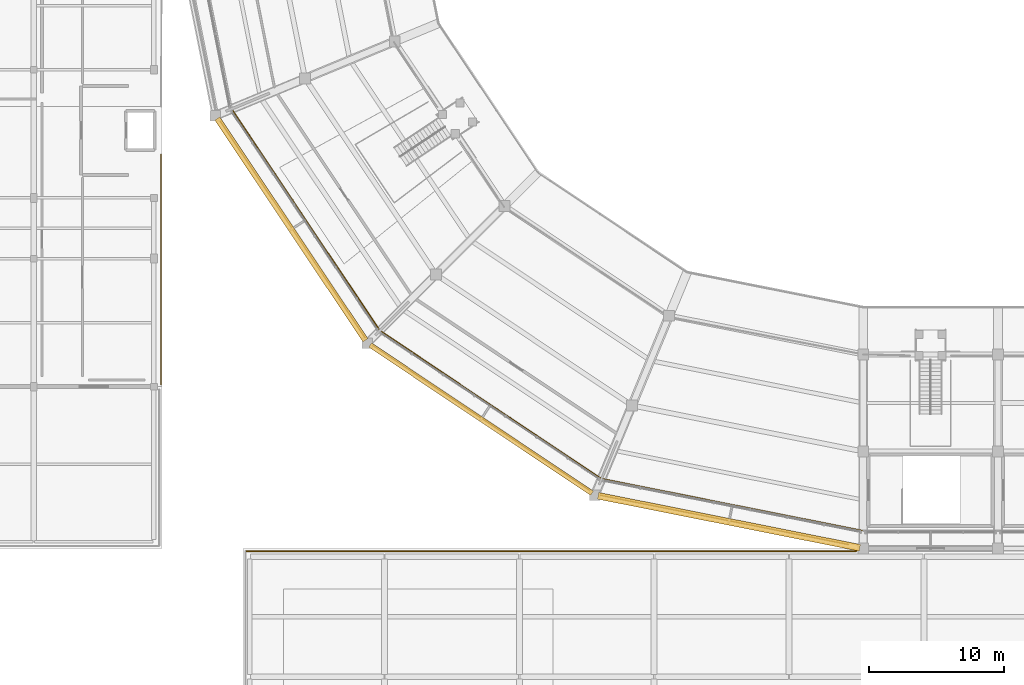
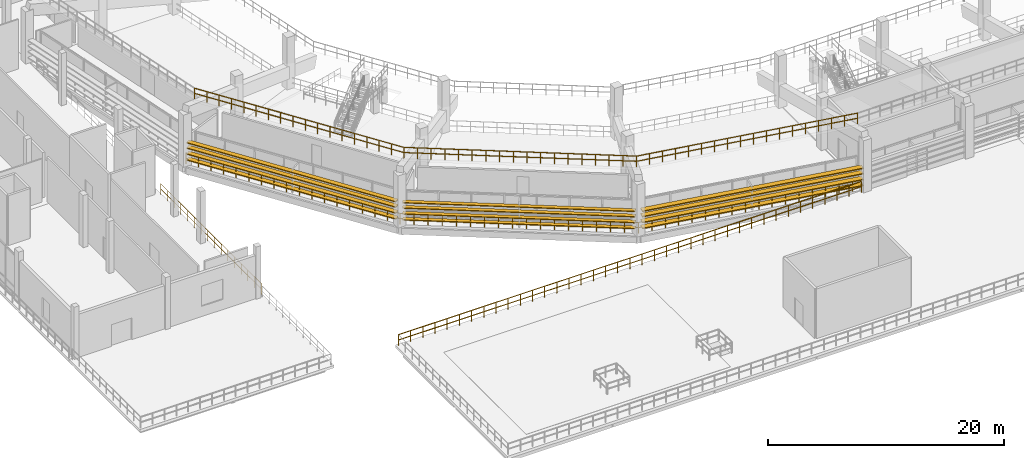
# One storey, part 76 of 96: 12 shading devices, 8 railings.
"""IFC4 building model written with IfcOpenShell, lengths in metres."""

from ifc_helpers import new_model, si_unit, direction, frame, origin, origin_2d, place, context, subcontext, project, spatial, rectangle, circle, extrude, material, layer, layer_set, type_object, element, save


model = new_model("IFC4")

# Units and contexts
model_context = context("Model", 3, precision=1e-05, world=origin(), true_north=direction((0.0, 1.0)))
body_context = subcontext(model_context, "Body", "Model", "MODEL_VIEW")
ifc_project = project(units=[si_unit("LENGTHUNIT", "METRE"), si_unit("AREAUNIT", "SQUARE_METRE"), si_unit("VOLUMEUNIT", "CUBIC_METRE"), si_unit("PLANEANGLEUNIT", "RADIAN"), si_unit("MASSUNIT", "GRAM", prefix="KILO")], contexts=[model_context])

# Site, building, storey
site_placement = place(None, origin())
site = spatial("IfcSite", under=ifc_project, at=site_placement, CompositionType="ELEMENT")
building_placement = place(site_placement, origin())
building = spatial("IfcBuilding", under=site, at=building_placement, Name="Candeia Ridge Stadium", CompositionType="ELEMENT")
storey_placement = place(building_placement, frame((0.0, 0.0, 21.60009765625)))
storey = spatial("IfcBuildingStorey", under=building, at=storey_placement, Name="L04", CompositionType="ELEMENT", Elevation=21.60009765625)

# Railings
ifc_material_1 = material(Name="Laminated Glass & Stainless Steel", Category="steel")
ifc_layer_1 = layer(ifc_material_1, 0.080078125, Name="Laminated Glass & Stainless Steel", Category="steel")
ifc_layer_set_1 = layer_set([ifc_layer_1], Name="Laminated Glass & Stainless Steel")
railing_type_1 = type_object("IfcRailingType", Name="Planted Terrace Glass-Steel Guard 1150", PredefinedType="BALUSTRADE", material=ifc_layer_set_1)
railing_1_placement = place(storey_placement, frame((70.5, 18.800048828125, 0.0)))
element("IfcRailing", 1, at=railing_1_placement, inside=storey, type_object=railing_type_1, Name="Terrace perimeter balustrade GR-TER-199", PredefinedType="BALUSTRADE", context=body_context, shape_type="SweptSolid", body=[
    extrude(circle(Radius=0.02392578125, at=origin_2d()), frame((0.0, 0.0, 1.1259765625), z_axis=(-1.0, 0.0, 0.0), x_axis=(0.0, -1.0, 0.0)), (0.0, 0.0, 1.0), 45.300048828125),
    extrude(circle(Radius=0.02392578125, at=origin_2d()), frame((0.0, 0.0, 0.574951171875), z_axis=(-1.0, 0.0, 0.0), x_axis=(0.0, -1.0, 0.0)), (0.0, 0.0, 1.0), 45.300048828125),
    extrude(circle(Radius=0.02099609375, at=origin_2d()), origin(), (0.0, 0.0, 1.0), 1.101806640625),
    extrude(circle(Radius=0.02099609375, at=origin_2d()), frame((-1.192138671875, 0.0, 0.0)), (0.0, 0.0, 1.0), 1.101806640625),
    extrude(circle(Radius=0.02099609375, at=origin_2d()), frame((-2.38427734375, 0.0, 0.0)), (0.0, 0.0, 1.0), 1.101806640625),
    extrude(circle(Radius=0.02099609375, at=origin_2d()), frame((-3.576416015625, 0.0, 0.0)), (0.0, 0.0, 1.0), 1.101806640625),
    extrude(circle(Radius=0.02099609375, at=origin_2d()), frame((-4.768310546875, 0.0, 0.0)), (0.0, 0.0, 1.0), 1.101806640625),
    extrude(circle(Radius=0.02099609375, at=origin_2d()), frame((-5.96044921875, 0.0, 0.0)), (0.0, 0.0, 1.0), 1.101806640625),
    extrude(circle(Radius=0.02099609375, at=origin_2d()), frame((-7.152587890625, 0.0, 0.0)), (0.0, 0.0, 1.0), 1.101806640625),
    extrude(circle(Radius=0.02099609375, at=origin_2d()), frame((-8.3447265625, 0.0, 0.0)), (0.0, 0.0, 1.0), 1.101806640625),
    extrude(circle(Radius=0.02099609375, at=origin_2d()), frame((-9.536865234375, 0.0, 0.0)), (0.0, 0.0, 1.0), 1.101806640625),
    extrude(circle(Radius=0.02099609375, at=origin_2d()), frame((-10.72900390625, 0.0, 0.0)), (0.0, 0.0, 1.0), 1.101806640625),
    extrude(circle(Radius=0.02099609375, at=origin_2d()), frame((-11.921142578125, 0.0, 0.0)), (0.0, 0.0, 1.0), 1.101806640625),
    extrude(circle(Radius=0.02099609375, at=origin_2d()), frame((-13.11328125, 0.0, 0.0)), (0.0, 0.0, 1.0), 1.101806640625),
    extrude(circle(Radius=0.02099609375, at=origin_2d()), frame((-14.30517578125, 0.0, 0.0)), (0.0, 0.0, 1.0), 1.101806640625),
    extrude(circle(Radius=0.02099609375, at=origin_2d()), frame((-15.497314453125, 0.0, 0.0)), (0.0, 0.0, 1.0), 1.101806640625),
    extrude(circle(Radius=0.02099609375, at=origin_2d()), frame((-16.689453125, 0.0, 0.0)), (0.0, 0.0, 1.0), 1.101806640625),
    extrude(circle(Radius=0.02099609375, at=origin_2d()), frame((-17.881591796875, 0.0, 0.0)), (0.0, 0.0, 1.0), 1.101806640625),
    extrude(circle(Radius=0.02099609375, at=origin_2d()), frame((-19.07373046875, 0.0, 0.0)), (0.0, 0.0, 1.0), 1.101806640625),
    extrude(circle(Radius=0.02099609375, at=origin_2d()), frame((-20.265869140625, 0.0, 0.0)), (0.0, 0.0, 1.0), 1.101806640625),
    extrude(circle(Radius=0.02099609375, at=origin_2d()), frame((-21.4580078125, 0.0, 0.0)), (0.0, 0.0, 1.0), 1.101806640625),
    extrude(circle(Radius=0.02099609375, at=origin_2d()), frame((-22.64990234375, 0.0, 0.0)), (0.0, 0.0, 1.0), 1.101806640625),
    extrude(circle(Radius=0.02099609375, at=origin_2d()), frame((-23.842041015625, 0.0, 0.0)), (0.0, 0.0, 1.0), 1.101806640625),
    extrude(circle(Radius=0.02099609375, at=origin_2d()), frame((-25.0341796875, 0.0, 0.0)), (0.0, 0.0, 1.0), 1.101806640625),
    extrude(circle(Radius=0.02099609375, at=origin_2d()), frame((-26.226318359375, 0.0, 0.0)), (0.0, 0.0, 1.0), 1.101806640625),
    extrude(circle(Radius=0.02099609375, at=origin_2d()), frame((-27.41845703125, 0.0, 0.0)), (0.0, 0.0, 1.0), 1.101806640625),
    extrude(circle(Radius=0.02099609375, at=origin_2d()), frame((-28.610595703125, 0.0, 0.0)), (0.0, 0.0, 1.0), 1.101806640625),
    extrude(circle(Radius=0.02099609375, at=origin_2d()), frame((-29.802734375, 0.0, 0.0)), (0.0, 0.0, 1.0), 1.101806640625),
    extrude(circle(Radius=0.02099609375, at=origin_2d()), frame((-30.994873046875, 0.0, 0.0)), (0.0, 0.0, 1.0), 1.101806640625),
    extrude(circle(Radius=0.02099609375, at=origin_2d()), frame((-32.186767578125, 0.0, 0.0)), (0.0, 0.0, 1.0), 1.101806640625),
    extrude(circle(Radius=0.02099609375, at=origin_2d()), frame((-33.37890625, 0.0, 0.0)), (0.0, 0.0, 1.0), 1.101806640625),
    extrude(circle(Radius=0.02099609375, at=origin_2d()), frame((-34.571044921875, 0.0, 0.0)), (0.0, 0.0, 1.0), 1.101806640625),
    extrude(circle(Radius=0.02099609375, at=origin_2d()), frame((-35.76318359375, 0.0, 0.0)), (0.0, 0.0, 1.0), 1.101806640625),
    extrude(circle(Radius=0.02099609375, at=origin_2d()), frame((-36.955322265625, 0.0, 0.0)), (0.0, 0.0, 1.0), 1.101806640625),
    extrude(circle(Radius=0.02099609375, at=origin_2d()), frame((-38.1474609375, 0.0, 0.0)), (0.0, 0.0, 1.0), 1.101806640625),
    extrude(circle(Radius=0.02099609375, at=origin_2d()), frame((-39.339599609375, 0.0, 0.0)), (0.0, 0.0, 1.0), 1.101806640625),
    extrude(circle(Radius=0.02099609375, at=origin_2d()), frame((-40.53173828125, 0.0, 0.0)), (0.0, 0.0, 1.0), 1.101806640625),
    extrude(circle(Radius=0.02099609375, at=origin_2d()), frame((-41.7236328125, 0.0, 0.0)), (0.0, 0.0, 1.0), 1.101806640625),
    extrude(circle(Radius=0.02099609375, at=origin_2d()), frame((-42.915771484375, 0.0, 0.0)), (0.0, 0.0, 1.0), 1.101806640625),
    extrude(circle(Radius=0.02099609375, at=origin_2d()), frame((-44.10791015625, 0.0, 0.0)), (0.0, 0.0, 1.0), 1.101806640625),
    extrude(circle(Radius=0.02099609375, at=origin_2d()), frame((-45.300048828125, 0.0, 0.0)), (0.0, 0.0, 1.0), 1.101806640625),
])
ifc_material_2 = material(Name="Galvanized Powder-Coated Steel", Category="steel")
ifc_layer_2 = layer(ifc_material_2, 0.074951171875, Name="Galvanized Powder-Coated Steel", Category="steel")
ifc_layer_set_2 = layer_set([ifc_layer_2], Name="Galvanized Powder-Coated Steel")
railing_type_2 = type_object("IfcRailingType", Name="Spectator Bowl Front Guardrail 1120", PredefinedType="GUARDRAIL", material=ifc_layer_set_2)
railing_2_placement = place(storey_placement, frame((24.177734375, 51.605712890625, 6.0)))
element("IfcRailing", 2, at=railing_2_placement, inside=storey, type_object=railing_type_2, Name="Stand T3 rear safety guardrail bay 16", PredefinedType="GUARDRAIL", context=body_context, shape_type="SweptSolid", body=[
    extrude(circle(Radius=0.02392578125, at=origin_2d()), frame((0.0, 0.0, 1.09619140625), z_axis=(0.555568879725, -0.831470516544, 0.0), x_axis=(0.831470516544, 0.555568879725, 0.0)), (0.0, 0.0, 1.0), 19.7744140625),
    extrude(circle(Radius=0.02392578125, at=origin_2d()), frame((0.0, 0.0, 0.56005859375), z_axis=(0.555568879725, -0.831470516544, 0.0), x_axis=(0.831470516544, 0.555568879725, 0.0)), (0.0, 0.0, 1.0), 19.7744140625),
    extrude(circle(Radius=0.02099609375, at=origin_2d()), origin(), (0.0, 0.0, 1.0), 1.072021484375),
    extrude(circle(Radius=0.02099609375, at=origin_2d()), frame((0.646240234375, -0.96728515625, 0.0)), (0.0, 0.0, 1.0), 1.072021484375),
    extrude(circle(Radius=0.02099609375, at=origin_2d()), frame((1.29248046875, -1.934326171875, 0.0)), (0.0, 0.0, 1.0), 1.072021484375),
    extrude(circle(Radius=0.02099609375, at=origin_2d()), frame((1.938720703125, -2.901611328125, 0.0)), (0.0, 0.0, 1.0), 1.072021484375),
    extrude(circle(Radius=0.02099609375, at=origin_2d()), frame((2.5849609375, -3.86865234375, 0.0)), (0.0, 0.0, 1.0), 1.072021484375),
    extrude(circle(Radius=0.02099609375, at=origin_2d()), frame((3.231201171875, -4.8359375, 0.0)), (0.0, 0.0, 1.0), 1.072021484375),
    extrude(circle(Radius=0.02099609375, at=origin_2d()), frame((3.87744140625, -5.802978515625, 0.0)), (0.0, 0.0, 1.0), 1.072021484375),
    extrude(circle(Radius=0.02099609375, at=origin_2d()), frame((4.523681640625, -6.770263671875, 0.0)), (0.0, 0.0, 1.0), 1.072021484375),
    extrude(circle(Radius=0.02099609375, at=origin_2d()), frame((5.169921875, -7.7373046875, 0.0)), (0.0, 0.0, 1.0), 1.072021484375),
    extrude(circle(Radius=0.02099609375, at=origin_2d()), frame((5.816162109375, -8.70458984375, 0.0)), (0.0, 0.0, 1.0), 1.072021484375),
    extrude(circle(Radius=0.02099609375, at=origin_2d()), frame((6.46240234375, -9.671630859375, 0.0)), (0.0, 0.0, 1.0), 1.072021484375),
    extrude(circle(Radius=0.02099609375, at=origin_2d()), frame((7.108642578125, -10.638916015625, 0.0)), (0.0, 0.0, 1.0), 1.072021484375),
    extrude(circle(Radius=0.02099609375, at=origin_2d()), frame((7.7548828125, -11.60595703125, 0.0)), (0.0, 0.0, 1.0), 1.072021484375),
    extrude(circle(Radius=0.02099609375, at=origin_2d()), frame((8.401123046875, -12.5732421875, 0.0)), (0.0, 0.0, 1.0), 1.072021484375),
    extrude(circle(Radius=0.02099609375, at=origin_2d()), frame((9.04736328125, -13.540283203125, 0.0)), (0.0, 0.0, 1.0), 1.072021484375),
    extrude(circle(Radius=0.02099609375, at=origin_2d()), frame((9.693603515625, -14.507568359375, 0.0)), (0.0, 0.0, 1.0), 1.072021484375),
    extrude(circle(Radius=0.02099609375, at=origin_2d()), frame((10.33984375, -15.474609375, 0.0)), (0.0, 0.0, 1.0), 1.072021484375),
    extrude(circle(Radius=0.02099609375, at=origin_2d()), frame((10.986083984375, -16.44189453125, 0.0)), (0.0, 0.0, 1.0), 1.072021484375),
])
railing_3_placement = place(storey_placement, frame((35.163818359375, 35.163818359375, 6.0)))
element("IfcRailing", 3, at=railing_3_placement, inside=storey, type_object=railing_type_2, Name="Stand T3 rear safety guardrail bay 17", PredefinedType="GUARDRAIL", context=body_context, shape_type="SweptSolid", body=[
    extrude(circle(Radius=0.02392578125, at=origin_2d()), frame((0.0, 0.0, 1.09619140625), z_axis=(0.831470516544, -0.555568879725, 0.0), x_axis=(0.555568879725, 0.831470516544, 0.0)), (0.0, 0.0, 1.0), 19.7744140625),
    extrude(circle(Radius=0.02392578125, at=origin_2d()), frame((0.0, 0.0, 0.56005859375), z_axis=(0.831470516544, -0.555568879725, 0.0), x_axis=(0.555568879725, 0.831470516544, 0.0)), (0.0, 0.0, 1.0), 19.7744140625),
    extrude(circle(Radius=0.02099609375, at=origin_2d()), origin(), (0.0, 0.0, 1.0), 1.072021484375),
    extrude(circle(Radius=0.02099609375, at=origin_2d()), frame((0.96728515625, -0.646240234375, 0.0)), (0.0, 0.0, 1.0), 1.072021484375),
    extrude(circle(Radius=0.02099609375, at=origin_2d()), frame((1.934326171875, -1.29248046875, 0.0)), (0.0, 0.0, 1.0), 1.072021484375),
    extrude(circle(Radius=0.02099609375, at=origin_2d()), frame((2.901611328125, -1.938720703125, 0.0)), (0.0, 0.0, 1.0), 1.072021484375),
    extrude(circle(Radius=0.02099609375, at=origin_2d()), frame((3.86865234375, -2.5849609375, 0.0)), (0.0, 0.0, 1.0), 1.072021484375),
    extrude(circle(Radius=0.02099609375, at=origin_2d()), frame((4.8359375, -3.231201171875, 0.0)), (0.0, 0.0, 1.0), 1.072021484375),
    extrude(circle(Radius=0.02099609375, at=origin_2d()), frame((5.802978515625, -3.87744140625, 0.0)), (0.0, 0.0, 1.0), 1.072021484375),
    extrude(circle(Radius=0.02099609375, at=origin_2d()), frame((6.770263671875, -4.523681640625, 0.0)), (0.0, 0.0, 1.0), 1.072021484375),
    extrude(circle(Radius=0.02099609375, at=origin_2d()), frame((7.7373046875, -5.169921875, 0.0)), (0.0, 0.0, 1.0), 1.072021484375),
    extrude(circle(Radius=0.02099609375, at=origin_2d()), frame((8.70458984375, -5.816162109375, 0.0)), (0.0, 0.0, 1.0), 1.072021484375),
    extrude(circle(Radius=0.02099609375, at=origin_2d()), frame((9.671630859375, -6.46240234375, 0.0)), (0.0, 0.0, 1.0), 1.072021484375),
    extrude(circle(Radius=0.02099609375, at=origin_2d()), frame((10.638916015625, -7.108642578125, 0.0)), (0.0, 0.0, 1.0), 1.072021484375),
    extrude(circle(Radius=0.02099609375, at=origin_2d()), frame((11.60595703125, -7.7548828125, 0.0)), (0.0, 0.0, 1.0), 1.072021484375),
    extrude(circle(Radius=0.02099609375, at=origin_2d()), frame((12.5732421875, -8.401123046875, 0.0)), (0.0, 0.0, 1.0), 1.072021484375),
    extrude(circle(Radius=0.02099609375, at=origin_2d()), frame((13.540283203125, -9.04736328125, 0.0)), (0.0, 0.0, 1.0), 1.072021484375),
    extrude(circle(Radius=0.02099609375, at=origin_2d()), frame((14.507568359375, -9.693603515625, 0.0)), (0.0, 0.0, 1.0), 1.072021484375),
    extrude(circle(Radius=0.02099609375, at=origin_2d()), frame((15.474609375, -10.33984375, 0.0)), (0.0, 0.0, 1.0), 1.072021484375),
    extrude(circle(Radius=0.02099609375, at=origin_2d()), frame((16.44189453125, -10.986083984375, 0.0)), (0.0, 0.0, 1.0), 1.072021484375),
])
railing_4_placement = place(storey_placement, frame((51.605712890625, 24.177734375, 6.0)))
element("IfcRailing", 4, at=railing_4_placement, inside=storey, type_object=railing_type_2, Name="Stand T3 rear safety guardrail bay 18", PredefinedType="GUARDRAIL", context=body_context, shape_type="SweptSolid", body=[
    extrude(circle(Radius=0.02392578125, at=origin_2d()), frame((0.0, 0.0, 1.09619140625), z_axis=(0.980786224287, -0.195085576731, 0.0), x_axis=(0.195085576731, 0.980786224287, 0.0)), (0.0, 0.0, 1.0), 19.774169921875),
    extrude(circle(Radius=0.02392578125, at=origin_2d()), frame((0.0, 0.0, 0.56005859375), z_axis=(0.980786224287, -0.195085576731, 0.0), x_axis=(0.195085576731, 0.980786224287, 0.0)), (0.0, 0.0, 1.0), 19.774169921875),
    extrude(circle(Radius=0.02099609375, at=origin_2d()), origin(), (0.0, 0.0, 1.0), 1.072021484375),
    extrude(circle(Radius=0.02099609375, at=origin_2d()), frame((1.140869140625, -0.226806640625, 0.0)), (0.0, 0.0, 1.0), 1.072021484375),
    extrude(circle(Radius=0.02099609375, at=origin_2d()), frame((2.28173828125, -0.453857421875, 0.0)), (0.0, 0.0, 1.0), 1.072021484375),
    extrude(circle(Radius=0.02099609375, at=origin_2d()), frame((3.422607421875, -0.6806640625, 0.0)), (0.0, 0.0, 1.0), 1.072021484375),
    extrude(circle(Radius=0.02099609375, at=origin_2d()), frame((4.5634765625, -0.90771484375, 0.0)), (0.0, 0.0, 1.0), 1.072021484375),
    extrude(circle(Radius=0.02099609375, at=origin_2d()), frame((5.7041015625, -1.134521484375, 0.0)), (0.0, 0.0, 1.0), 1.072021484375),
    extrude(circle(Radius=0.02099609375, at=origin_2d()), frame((6.844970703125, -1.361572265625, 0.0)), (0.0, 0.0, 1.0), 1.072021484375),
    extrude(circle(Radius=0.02099609375, at=origin_2d()), frame((7.98583984375, -1.58837890625, 0.0)), (0.0, 0.0, 1.0), 1.072021484375),
    extrude(circle(Radius=0.02099609375, at=origin_2d()), frame((9.126708984375, -1.8154296875, 0.0)), (0.0, 0.0, 1.0), 1.072021484375),
    extrude(circle(Radius=0.02099609375, at=origin_2d()), frame((10.267578125, -2.042236328125, 0.0)), (0.0, 0.0, 1.0), 1.072021484375),
    extrude(circle(Radius=0.02099609375, at=origin_2d()), frame((11.408447265625, -2.269287109375, 0.0)), (0.0, 0.0, 1.0), 1.072021484375),
    extrude(circle(Radius=0.02099609375, at=origin_2d()), frame((12.54931640625, -2.49609375, 0.0)), (0.0, 0.0, 1.0), 1.072021484375),
    extrude(circle(Radius=0.02099609375, at=origin_2d()), frame((13.690185546875, -2.72314453125, 0.0)), (0.0, 0.0, 1.0), 1.072021484375),
    extrude(circle(Radius=0.02099609375, at=origin_2d()), frame((14.830810546875, -2.949951171875, 0.0)), (0.0, 0.0, 1.0), 1.072021484375),
    extrude(circle(Radius=0.02099609375, at=origin_2d()), frame((15.9716796875, -3.177001953125, 0.0)), (0.0, 0.0, 1.0), 1.072021484375),
    extrude(circle(Radius=0.02099609375, at=origin_2d()), frame((17.112548828125, -3.40380859375, 0.0)), (0.0, 0.0, 1.0), 1.072021484375),
    extrude(circle(Radius=0.02099609375, at=origin_2d()), frame((18.25341796875, -3.630859375, 0.0)), (0.0, 0.0, 1.0), 1.072021484375),
    extrude(circle(Radius=0.02099609375, at=origin_2d()), frame((19.394287109375, -3.857666015625, 0.0)), (0.0, 0.0, 1.0), 1.072021484375),
])
railing_5_placement = place(storey_placement, frame((69.90966796875, 19.298583984375, 0.0)))
element("IfcRailing", 5, at=railing_5_placement, inside=storey, type_object=railing_type_2, Name="Deck edge safety guardrail GR-DE-L04-0203", PredefinedType="GUARDRAIL", context=body_context, shape_type="SweptSolid", body=[
    extrude(circle(Radius=0.02392578125, at=origin_2d()), frame((0.0, 0.0, 1.09619140625), z_axis=(-0.980847263752, 0.194778451557, 0.0), x_axis=(-0.194778451557, -0.980847263752, 0.0)), (0.0, 0.0, 1.0), 19.131103515625),
    extrude(circle(Radius=0.02392578125, at=origin_2d()), frame((0.0, 0.0, 0.56005859375), z_axis=(-0.980847263752, 0.194778451557, 0.0), x_axis=(-0.194778451557, -0.980847263752, 0.0)), (0.0, 0.0, 1.0), 19.131103515625),
    extrude(circle(Radius=0.02099609375, at=origin_2d()), origin(), (0.0, 0.0, 1.0), 1.072021484375),
    extrude(circle(Radius=0.02099609375, at=origin_2d()), frame((-1.1728515625, 0.23291015625, 0.0)), (0.0, 0.0, 1.0), 1.072021484375),
    extrude(circle(Radius=0.02099609375, at=origin_2d()), frame((-2.345703125, 0.4658203125, 0.0)), (0.0, 0.0, 1.0), 1.072021484375),
    extrude(circle(Radius=0.02099609375, at=origin_2d()), frame((-3.518310546875, 0.69873046875, 0.0)), (0.0, 0.0, 1.0), 1.072021484375),
    extrude(circle(Radius=0.02099609375, at=origin_2d()), frame((-4.691162109375, 0.931640625, 0.0)), (0.0, 0.0, 1.0), 1.072021484375),
    extrude(circle(Radius=0.02099609375, at=origin_2d()), frame((-5.864013671875, 1.16455078125, 0.0)), (0.0, 0.0, 1.0), 1.072021484375),
    extrude(circle(Radius=0.02099609375, at=origin_2d()), frame((-7.03662109375, 1.3974609375, 0.0)), (0.0, 0.0, 1.0), 1.072021484375),
    extrude(circle(Radius=0.02099609375, at=origin_2d()), frame((-8.20947265625, 1.63037109375, 0.0)), (0.0, 0.0, 1.0), 1.072021484375),
    extrude(circle(Radius=0.02099609375, at=origin_2d()), frame((-9.38232421875, 1.86328125, 0.0)), (0.0, 0.0, 1.0), 1.072021484375),
    extrude(circle(Radius=0.02099609375, at=origin_2d()), frame((-10.55517578125, 2.095947265625, 0.0)), (0.0, 0.0, 1.0), 1.072021484375),
    extrude(circle(Radius=0.02099609375, at=origin_2d()), frame((-11.72802734375, 2.328857421875, 0.0)), (0.0, 0.0, 1.0), 1.072021484375),
    extrude(circle(Radius=0.02099609375, at=origin_2d()), frame((-12.900634765625, 2.561767578125, 0.0)), (0.0, 0.0, 1.0), 1.072021484375),
    extrude(circle(Radius=0.02099609375, at=origin_2d()), frame((-14.073486328125, 2.794677734375, 0.0)), (0.0, 0.0, 1.0), 1.072021484375),
    extrude(circle(Radius=0.02099609375, at=origin_2d()), frame((-15.246337890625, 3.027587890625, 0.0)), (0.0, 0.0, 1.0), 1.072021484375),
    extrude(circle(Radius=0.02099609375, at=origin_2d()), frame((-16.4189453125, 3.260498046875, 0.0)), (0.0, 0.0, 1.0), 1.072021484375),
    extrude(circle(Radius=0.02099609375, at=origin_2d()), frame((-17.591796875, 3.493408203125, 0.0)), (0.0, 0.0, 1.0), 1.072021484375),
    extrude(circle(Radius=0.02099609375, at=origin_2d()), frame((-18.7646484375, 3.726318359375, 0.0)), (0.0, 0.0, 1.0), 1.072021484375),
])
railing_6_placement = place(storey_placement, frame((51.14501953125, 23.02490234375, 0.0)))
element("IfcRailing", 6, at=railing_6_placement, inside=storey, type_object=railing_type_2, Name="Deck edge safety guardrail GR-DE-L04-0204", PredefinedType="GUARDRAIL", context=body_context, shape_type="SweptSolid", body=[
    extrude(circle(Radius=0.02392578125, at=origin_2d()), frame((0.0, 0.0, 1.09619140625), z_axis=(-0.831642188082, 0.555311868234, 0.0), x_axis=(-0.555311868234, -0.831642188082, 0.0)), (0.0, 0.0, 1.0), 20.2587890625),
    extrude(circle(Radius=0.02392578125, at=origin_2d()), frame((0.0, 0.0, 0.56005859375), z_axis=(-0.831642188082, 0.555311868234, 0.0), x_axis=(-0.555311868234, -0.831642188082, 0.0)), (0.0, 0.0, 1.0), 20.2587890625),
    extrude(circle(Radius=0.02099609375, at=origin_2d()), origin(), (0.0, 0.0, 1.0), 1.072021484375),
    extrude(circle(Radius=0.02099609375, at=origin_2d()), frame((-0.990966796875, 0.661865234375, 0.0)), (0.0, 0.0, 1.0), 1.072021484375),
    extrude(circle(Radius=0.02099609375, at=origin_2d()), frame((-1.982177734375, 1.323486328125, 0.0)), (0.0, 0.0, 1.0), 1.072021484375),
    extrude(circle(Radius=0.02099609375, at=origin_2d()), frame((-2.97314453125, 1.9853515625, 0.0)), (0.0, 0.0, 1.0), 1.072021484375),
    extrude(circle(Radius=0.02099609375, at=origin_2d()), frame((-3.96435546875, 2.64697265625, 0.0)), (0.0, 0.0, 1.0), 1.072021484375),
    extrude(circle(Radius=0.02099609375, at=origin_2d()), frame((-4.955322265625, 3.308837890625, 0.0)), (0.0, 0.0, 1.0), 1.072021484375),
    extrude(circle(Radius=0.02099609375, at=origin_2d()), frame((-5.9462890625, 3.970703125, 0.0)), (0.0, 0.0, 1.0), 1.072021484375),
    extrude(circle(Radius=0.02099609375, at=origin_2d()), frame((-6.9375, 4.63232421875, 0.0)), (0.0, 0.0, 1.0), 1.072021484375),
    extrude(circle(Radius=0.02099609375, at=origin_2d()), frame((-7.928466796875, 5.294189453125, 0.0)), (0.0, 0.0, 1.0), 1.072021484375),
    extrude(circle(Radius=0.02099609375, at=origin_2d()), frame((-8.919677734375, 5.955810546875, 0.0)), (0.0, 0.0, 1.0), 1.072021484375),
    extrude(circle(Radius=0.02099609375, at=origin_2d()), frame((-9.91064453125, 6.61767578125, 0.0)), (0.0, 0.0, 1.0), 1.072021484375),
    extrude(circle(Radius=0.02099609375, at=origin_2d()), frame((-10.90185546875, 7.279296875, 0.0)), (0.0, 0.0, 1.0), 1.072021484375),
    extrude(circle(Radius=0.02099609375, at=origin_2d()), frame((-11.892822265625, 7.941162109375, 0.0)), (0.0, 0.0, 1.0), 1.072021484375),
    extrude(circle(Radius=0.02099609375, at=origin_2d()), frame((-12.8837890625, 8.60302734375, 0.0)), (0.0, 0.0, 1.0), 1.072021484375),
    extrude(circle(Radius=0.02099609375, at=origin_2d()), frame((-13.875, 9.2646484375, 0.0)), (0.0, 0.0, 1.0), 1.072021484375),
    extrude(circle(Radius=0.02099609375, at=origin_2d()), frame((-14.865966796875, 9.926513671875, 0.0)), (0.0, 0.0, 1.0), 1.072021484375),
    extrude(circle(Radius=0.02099609375, at=origin_2d()), frame((-15.857177734375, 10.588134765625, 0.0)), (0.0, 0.0, 1.0), 1.072021484375),
    extrude(circle(Radius=0.02099609375, at=origin_2d()), frame((-16.84814453125, 11.25, 0.0)), (0.0, 0.0, 1.0), 1.072021484375),
])
railing_7_placement = place(storey_placement, frame((34.296875, 34.27490234375, 0.0)))
element("IfcRailing", 7, at=railing_7_placement, inside=storey, type_object=railing_type_2, Name="Deck edge safety guardrail GR-DE-L04-0205", PredefinedType="GUARDRAIL", context=body_context, shape_type="SweptSolid", body=[
    extrude(circle(Radius=0.02392578125, at=origin_2d()), frame((0.0, 0.0, 1.09619140625), z_axis=(-0.555809332259, 0.831309801563, 0.0), x_axis=(-0.831309801563, -0.555809332259, 0.0)), (0.0, 0.0, 1.0), 20.2587890625),
    extrude(circle(Radius=0.02392578125, at=origin_2d()), frame((0.0, 0.0, 0.56005859375), z_axis=(-0.555809332259, 0.831309801563, 0.0), x_axis=(-0.831309801563, -0.555809332259, 0.0)), (0.0, 0.0, 1.0), 20.2587890625),
    extrude(circle(Radius=0.02099609375, at=origin_2d()), origin(), (0.0, 0.0, 1.0), 1.072021484375),
    extrude(circle(Radius=0.02099609375, at=origin_2d()), frame((-0.662353515625, 0.99072265625, 0.0)), (0.0, 0.0, 1.0), 1.072021484375),
    extrude(circle(Radius=0.02099609375, at=origin_2d()), frame((-1.32470703125, 1.9814453125, 0.0)), (0.0, 0.0, 1.0), 1.072021484375),
    extrude(circle(Radius=0.02099609375, at=origin_2d()), frame((-1.987060546875, 2.971923828125, 0.0)), (0.0, 0.0, 1.0), 1.072021484375),
    extrude(circle(Radius=0.02099609375, at=origin_2d()), frame((-2.6494140625, 3.962646484375, 0.0)), (0.0, 0.0, 1.0), 1.072021484375),
    extrude(circle(Radius=0.02099609375, at=origin_2d()), frame((-3.311767578125, 4.953369140625, 0.0)), (0.0, 0.0, 1.0), 1.072021484375),
    extrude(circle(Radius=0.02099609375, at=origin_2d()), frame((-3.97412109375, 5.944091796875, 0.0)), (0.0, 0.0, 1.0), 1.072021484375),
    extrude(circle(Radius=0.02099609375, at=origin_2d()), frame((-4.636474609375, 6.9345703125, 0.0)), (0.0, 0.0, 1.0), 1.072021484375),
    extrude(circle(Radius=0.02099609375, at=origin_2d()), frame((-5.298828125, 7.92529296875, 0.0)), (0.0, 0.0, 1.0), 1.072021484375),
    extrude(circle(Radius=0.02099609375, at=origin_2d()), frame((-5.961181640625, 8.916015625, 0.0)), (0.0, 0.0, 1.0), 1.072021484375),
    extrude(circle(Radius=0.02099609375, at=origin_2d()), frame((-6.62353515625, 9.90673828125, 0.0)), (0.0, 0.0, 1.0), 1.072021484375),
    extrude(circle(Radius=0.02099609375, at=origin_2d()), frame((-7.285888671875, 10.897216796875, 0.0)), (0.0, 0.0, 1.0), 1.072021484375),
    extrude(circle(Radius=0.02099609375, at=origin_2d()), frame((-7.9482421875, 11.887939453125, 0.0)), (0.0, 0.0, 1.0), 1.072021484375),
    extrude(circle(Radius=0.02099609375, at=origin_2d()), frame((-8.610595703125, 12.878662109375, 0.0)), (0.0, 0.0, 1.0), 1.072021484375),
    extrude(circle(Radius=0.02099609375, at=origin_2d()), frame((-9.27294921875, 13.869384765625, 0.0)), (0.0, 0.0, 1.0), 1.072021484375),
    extrude(circle(Radius=0.02099609375, at=origin_2d()), frame((-9.935302734375, 14.85986328125, 0.0)), (0.0, 0.0, 1.0), 1.072021484375),
    extrude(circle(Radius=0.02099609375, at=origin_2d()), frame((-10.59765625, 15.8505859375, 0.0)), (0.0, 0.0, 1.0), 1.072021484375),
    extrude(circle(Radius=0.02099609375, at=origin_2d()), frame((-11.260009765625, 16.84130859375, 0.0)), (0.0, 0.0, 1.0), 1.072021484375),
])
railing_8_placement = place(storey_placement, frame((18.919921875, 48.215087890625, 0.0)))
element("IfcRailing", 8, at=railing_8_placement, inside=storey, type_object=railing_type_2, Name="Deck edge safety guardrail GR-DE-L04-0208", PredefinedType="GUARDRAIL", context=body_context, shape_type="SweptSolid", body=[
    extrude(circle(Radius=0.02392578125, at=origin_2d()), frame((0.0, 0.0, 1.09619140625), z_axis=(0.0, -1.0, 0.0), x_axis=(1.0, 0.0, 0.0)), (0.0, 0.0, 1.0), 17.0458984375),
    extrude(circle(Radius=0.02392578125, at=origin_2d()), frame((0.0, 0.0, 0.56005859375), z_axis=(0.0, -1.0, 0.0), x_axis=(1.0, 0.0, 0.0)), (0.0, 0.0, 1.0), 17.0458984375),
    extrude(circle(Radius=0.02099609375, at=origin_2d()), origin(), (0.0, 0.0, 1.0), 1.072021484375),
    extrude(circle(Radius=0.02099609375, at=origin_2d()), frame((0.0, -1.136474609375, 0.0)), (0.0, 0.0, 1.0), 1.072021484375),
    extrude(circle(Radius=0.02099609375, at=origin_2d()), frame((0.0, -2.272705078125, 0.0)), (0.0, 0.0, 1.0), 1.072021484375),
    extrude(circle(Radius=0.02099609375, at=origin_2d()), frame((0.0, -3.4091796875, 0.0)), (0.0, 0.0, 1.0), 1.072021484375),
    extrude(circle(Radius=0.02099609375, at=origin_2d()), frame((0.0, -4.545654296875, 0.0)), (0.0, 0.0, 1.0), 1.072021484375),
    extrude(circle(Radius=0.02099609375, at=origin_2d()), frame((0.0, -5.681884765625, 0.0)), (0.0, 0.0, 1.0), 1.072021484375),
    extrude(circle(Radius=0.02099609375, at=origin_2d()), frame((0.0, -6.818359375, 0.0)), (0.0, 0.0, 1.0), 1.072021484375),
    extrude(circle(Radius=0.02099609375, at=origin_2d()), frame((0.0, -7.954833984375, 0.0)), (0.0, 0.0, 1.0), 1.072021484375),
    extrude(circle(Radius=0.02099609375, at=origin_2d()), frame((0.0, -9.091064453125, 0.0)), (0.0, 0.0, 1.0), 1.072021484375),
    extrude(circle(Radius=0.02099609375, at=origin_2d()), frame((0.0, -10.2275390625, 0.0)), (0.0, 0.0, 1.0), 1.072021484375),
    extrude(circle(Radius=0.02099609375, at=origin_2d()), frame((0.0, -11.364013671875, 0.0)), (0.0, 0.0, 1.0), 1.072021484375),
    extrude(circle(Radius=0.02099609375, at=origin_2d()), frame((0.0, -12.500244140625, 0.0)), (0.0, 0.0, 1.0), 1.072021484375),
    extrude(circle(Radius=0.02099609375, at=origin_2d()), frame((0.0, -13.63671875, 0.0)), (0.0, 0.0, 1.0), 1.072021484375),
    extrude(circle(Radius=0.02099609375, at=origin_2d()), frame((0.0, -14.773193359375, 0.0)), (0.0, 0.0, 1.0), 1.072021484375),
    extrude(circle(Radius=0.02099609375, at=origin_2d()), frame((0.0, -15.909423828125, 0.0)), (0.0, 0.0, 1.0), 1.072021484375),
    extrude(circle(Radius=0.02099609375, at=origin_2d()), frame((0.0, -17.0458984375, 0.0)), (0.0, 0.0, 1.0), 1.072021484375),
])

# Shading devices
ifc_material_3 = material(Name="Aluminium Anodized Warm Bronze", Category="aluminium")
shading_device_type_1 = type_object("IfcShadingDeviceType", Name="Weathered Bronze Horizontal Solar Rib 380x85", PredefinedType="JALOUSIE", material=ifc_material_3)
for number, where, z_axis, x_axis, name in (
    (9, (42.66552734375, 28.59423828125, 0.5673828125), (0.0, 0.0, 1.0), (0.831469626973, -0.555570211063, 0.0), "Weathered bronze horizontal solar rib L04 bay 17-1"),
    (10, (42.66552734375, 28.59423828125, 1.17724609375), (0.0, 0.0, 1.0), (0.831469626973, -0.555570211063, 0.0), "Weathered bronze horizontal solar rib L04 bay 17-2"),
    (11, (42.66552734375, 28.59423828125, 1.787109375), (0.0, 0.0, 1.0), (0.831469626973, -0.555570211063, 0.0), "Weathered bronze horizontal solar rib L04 bay 17-3"),
    (12, (42.66552734375, 28.59423828125, 2.341552734375), (0.0, 0.0, 1.0), (0.831469626973, -0.555570211063, 0.0), "Weathered bronze horizontal solar rib L04 bay 17-4"),
):
    element("IfcShadingDevice", number, at=place(storey_placement, frame(where, z_axis=z_axis, x_axis=x_axis)), inside=storey, type_object=shading_device_type_1, Name=name, PredefinedType="JALOUSIE", context=body_context, shape_type="SweptSolid", body=[
        extrude(rectangle(XDim=19.789306640625, YDim=0.3798828125, at=origin_2d()), origin(), (0.0, 0.0, 1.0), 0.0849609375),
    ])
shading_device_type_2 = type_object("IfcShadingDeviceType", Name="Weathered Bronze Horizontal Solar Rib 440x95", PredefinedType="JALOUSIE", material=ifc_material_3)
for number, where, z_axis, x_axis, name in (
    (13, (28.59423828125, 42.66552734375, 0.5625), (0.0, 0.0, 1.0), (0.555570211063, -0.831469626973, 0.0), "Weathered bronze horizontal solar rib L04 bay 16-1"),
    (14, (28.59423828125, 42.66552734375, 1.17236328125), (0.0, 0.0, 1.0), (0.555570211063, -0.831469626973, 0.0), "Weathered bronze horizontal solar rib L04 bay 16-2"),
    (15, (28.59423828125, 42.66552734375, 1.7822265625), (0.0, 0.0, 1.0), (0.555570211063, -0.831469626973, 0.0), "Weathered bronze horizontal solar rib L04 bay 16-3"),
    (16, (28.59423828125, 42.66552734375, 2.33642578125), (0.0, 0.0, 1.0), (0.555570211063, -0.831469626973, 0.0), "Weathered bronze horizontal solar rib L04 bay 16-4"),
):
    element("IfcShadingDevice", number, at=place(storey_placement, frame(where, z_axis=z_axis, x_axis=x_axis)), inside=storey, type_object=shading_device_type_2, Name=name, PredefinedType="JALOUSIE", context=body_context, shape_type="SweptSolid", body=[
        extrude(rectangle(XDim=19.789306640625, YDim=0.43994140625, at=origin_2d()), origin(), (0.0, 0.0, 1.0), 0.094970703125),
    ])
shading_device_type_3 = type_object("IfcShadingDeviceType", Name="Weathered Bronze Horizontal Solar Rib 500x105", PredefinedType="JALOUSIE", material=ifc_material_3)
for number, where, z_axis, x_axis, name in (
    (17, (61.05029296875, 20.979248046875, 0.557373046875), (0.0, 0.0, 1.0), (0.980785282416, -0.195090311899, 0.0), "Weathered bronze horizontal solar rib L04 bay 18-1"),
    (18, (61.05029296875, 20.979248046875, 1.167236328125), (0.0, 0.0, 1.0), (0.980785282416, -0.195090311899, 0.0), "Weathered bronze horizontal solar rib L04 bay 18-2"),
    (19, (61.05029296875, 20.979248046875, 1.777099609375), (0.0, 0.0, 1.0), (0.980785282416, -0.195090311899, 0.0), "Weathered bronze horizontal solar rib L04 bay 18-3"),
    (20, (61.05029296875, 20.979248046875, 2.33154296875), (0.0, 0.0, 1.0), (0.980785282416, -0.195090311899, 0.0), "Weathered bronze horizontal solar rib L04 bay 18-4"),
):
    element("IfcShadingDevice", number, at=place(storey_placement, frame(where, z_axis=z_axis, x_axis=x_axis)), inside=storey, type_object=shading_device_type_3, Name=name, PredefinedType="JALOUSIE", context=body_context, shape_type="SweptSolid", body=[
        extrude(rectangle(XDim=19.789306640625, YDim=0.5, at=origin_2d()), origin(), (0.0, 0.0, 1.0), 0.10498046875),
    ])

save(model, "model.ifc")
